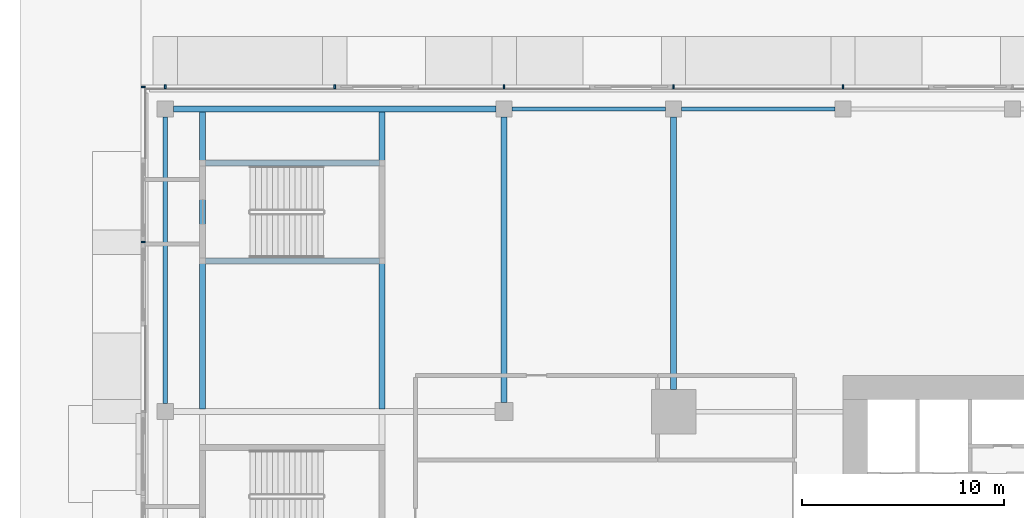
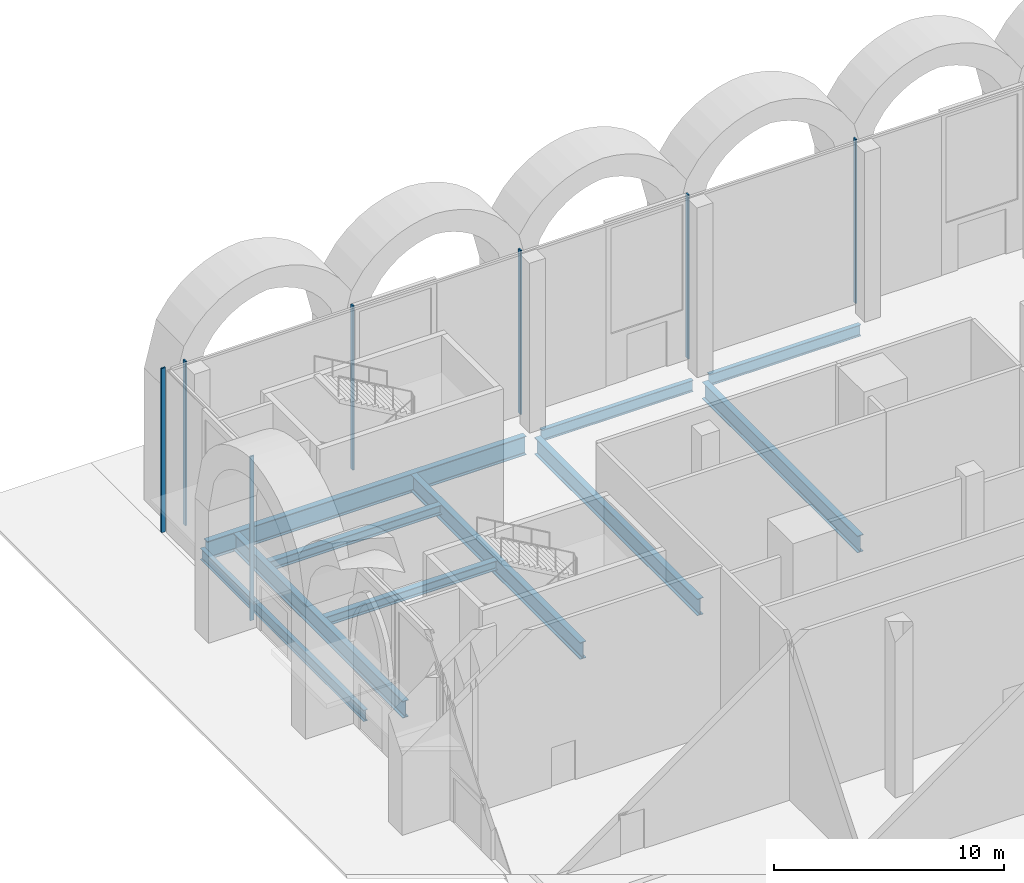
# One storey, part 12 of 43: 10 beams, 7 members, 2 elements without a shape of their own.
"""IFC4 building model written with IfcOpenShell, lengths in metres."""

import ifcopenshell
import ifcopenshell.guid

model = None  # the IFC model being written
_history = None  # IfcOwnerHistory: only IFC2X3 demands one
_inside = {}  # id of a spatial element -> (the spatial element, [elements in it])
_under = {}  # id of a project, library or spatial element -> (it, [spatial elements below it])
_declared = {}  # id of a project -> (the project, [libraries it declares])
_typed = {}  # id of a type object -> (the type object, [elements of that type])
_made_of = {}  # id of a material, layer set ... -> (it, [elements and type objects made of it])


def new_model(schema):
    """Start an empty IFC model of exactly this schema.

    Asked for "IFC4X3", IfcOpenShell would pick the latest addendum, in which some entities
    have other attributes; the version numbers below select the first issue.
    IFC2X3 requires an IfcOwnerHistory on every rooted entity: one is made here for all.
    """
    global model, _history
    if schema == "IFC4X3":
        model = ifcopenshell.file(schema_version=(4, 3, 0, 0))
    else:
        model = ifcopenshell.file(schema=schema)
    _inside.clear()
    _under.clear()
    _declared.clear()
    _typed.clear()
    _made_of.clear()
    _history = None
    if model.schema == "IFC2X3":
        org = make("IfcOrganization", Name="unknown")
        user = make(
            "IfcPersonAndOrganization",
            ThePerson=make("IfcPerson", FamilyName="unknown"),
            TheOrganization=org,
        )
        app = make(
            "IfcApplication",
            ApplicationDeveloper=org,
            Version="unknown",
            ApplicationFullName="unknown",
            ApplicationIdentifier="unknown",
        )
        _history = make(
            "IfcOwnerHistory",
            OwningUser=user,
            OwningApplication=app,
            ChangeAction="ADDED",
            CreationDate=0,
        )
    return model


def make(cls, **values):
    """One entity of the class cls with the attributes given. An attribute that is None is left unset."""
    return model.create_entity(
        cls, **{name: value for name, value in values.items() if value is not None}
    )


def rooted(cls, **values):
    """An entity with a GlobalId (a new one), such as an element, a storey or a relation."""
    return make(cls, GlobalId=ifcopenshell.guid.new(), OwnerHistory=_history, **values)


def si_unit(unit_type, name, prefix=None):
    """IfcSIUnit, for example si_unit("LENGTHUNIT", "METRE", prefix="MILLI")."""
    return make("IfcSIUnit", UnitType=unit_type, Prefix=prefix, Name=name)


def assignment(units):
    """IfcUnitAssignment: the units of a project."""
    return None if units is None else make("IfcUnitAssignment", Units=units)


def point(xyz):
    """IfcCartesianPoint."""
    return None if xyz is None else make("IfcCartesianPoint", Coordinates=xyz)


def direction(xyz):
    """IfcDirection."""
    return None if xyz is None else make("IfcDirection", DirectionRatios=xyz)


def frame(location, z_axis=None, x_axis=None):
    """IfcAxis2Placement3D, a coordinate frame: its origin and axes. An axis left out is left unset."""
    return make(
        "IfcAxis2Placement3D",
        Location=point(location),
        Axis=direction(z_axis),
        RefDirection=direction(x_axis),
    )


def frame_2d(location, x_axis=None):
    """IfcAxis2Placement2D, a coordinate frame in the plane: its origin and x axis."""
    return make(
        "IfcAxis2Placement2D", Location=point(location), RefDirection=direction(x_axis)
    )


def origin():
    """The frame at (0, 0, 0) with its axes left unset."""
    return frame((0.0, 0.0, 0.0))


def origin_2d():
    """The frame at (0, 0) in the plane with its x axis left unset."""
    return frame_2d((0.0, 0.0))


def place(relative_to, where):
    """IfcLocalPlacement: puts the frame where relative to a parent placement (None: the world)."""
    return make(
        "IfcLocalPlacement", PlacementRelTo=relative_to, RelativePlacement=where
    )


def context(
    kind, dimensions, precision=None, world=None, true_north=None, identifier=None
):
    """IfcGeometricRepresentationContext, for example the 3D "Model" context."""
    return make(
        "IfcGeometricRepresentationContext",
        ContextIdentifier=identifier,
        ContextType=kind,
        CoordinateSpaceDimension=dimensions,
        Precision=precision,
        WorldCoordinateSystem=world,
        TrueNorth=true_north,
    )


def subcontext(parent, identifier, kind, view, scale=None):
    """IfcGeometricRepresentationSubContext, for example "Body" below "Model"."""
    return make(
        "IfcGeometricRepresentationSubContext",
        ContextIdentifier=identifier,
        ContextType=kind,
        ParentContext=parent,
        TargetScale=scale,
        TargetView=view,
    )


def project(units=None, contexts=None):
    """IfcProject with its units and contexts."""
    return rooted(
        "IfcProject",
        Name="project",
        RepresentationContexts=contexts,
        UnitsInContext=assignment(units),
    )


def spatial(cls, under=None, at=None, **own):
    """A site, building, storey or space (cls), placed at a placement, below another one or the project."""
    s = rooted(cls, ObjectPlacement=at, **own)
    if under is not None:
        _under.setdefault(under.id(), (under, []))[1].append(s)
    return s


def profile(cls, at=None, kind="AREA", **sizes):
    """A parametric profile (cls). Its sizes go by their IFC names, for example OverallWidth=200.0."""
    return make(cls, ProfileType=kind, Position=at, **sizes)


def rectangle(**sizes):
    """IfcRectangleProfileDef."""
    return profile("IfcRectangleProfileDef", **sizes)


def i_section(**sizes):
    """IfcIShapeProfileDef."""
    return profile("IfcIShapeProfileDef", **sizes)


def extrude(swept, where, along, depth):
    """IfcExtrudedAreaSolid: the profile swept, set in the frame where, extruded along a direction by depth."""
    return make(
        "IfcExtrudedAreaSolid",
        SweptArea=swept,
        Position=where,
        ExtrudedDirection=direction(along),
        Depth=depth,
    )


def shape(context_of_items, identifier, shape_type, items):
    """IfcShapeRepresentation: the items that make up one representation, for example the "Body"."""
    return make(
        "IfcShapeRepresentation",
        ContextOfItems=context_of_items,
        RepresentationIdentifier=identifier,
        RepresentationType=shape_type,
        Items=items,
    )


def material(Name=None, Category=None):
    """IfcMaterial."""
    return make("IfcMaterial", Name=Name, Category=Category)


def material_profile(
    of_material, cross_section, Name=None, Category=None, Priority=None
):
    """IfcMaterialProfile: a cross section and its material."""
    return make(
        "IfcMaterialProfile",
        Name=Name,
        Material=of_material,
        Profile=cross_section,
        Priority=Priority,
        Category=Category,
    )


def profile_set(profiles, Name=None, composite=None):
    """IfcMaterialProfileSet."""
    return make(
        "IfcMaterialProfileSet",
        Name=Name,
        MaterialProfiles=profiles,
        CompositeProfile=composite,
    )


def made_of(thing, what):
    """Note that an element or type object is made of a material, layer set ...; save() writes the relation."""
    if what is not None:
        _made_of.setdefault(what.id(), (what, []))[1].append(thing)
    return thing


def type_object(cls, material=None, **own):
    """A type object (cls), such as IfcWallType, which elements share."""
    return made_of(rooted(cls, **own), material)


def element(
    cls,
    number,
    at=None,
    inside=None,
    cuts=None,
    type_object=None,
    material=None,
    context=None,
    identifier="Body",
    shape_type=None,
    held_by="IfcProductDefinitionShape",
    body=None,
    shapes=None,
    **own,
):
    """One element of the class cls, such as IfcWall. Its Tag is "e" and its number.

    at: its placement. inside: the storey or other place that contains it. cuts: it is an
    opening in that element (IfcRelVoidsElement). A single representation is given by context,
    identifier, shape_type and body (its items); several are given by shapes. held_by: the class
    of the entity that holds the representations. save() writes the other relations.
    """
    e = rooted(cls, Tag="e%d" % number, ObjectPlacement=at, **own)
    if body is not None:
        shapes = [shape(context, identifier, shape_type, body)]
    if shapes is not None:
        e.Representation = make(held_by, Representations=shapes)
    if inside is not None:
        _inside.setdefault(inside.id(), (inside, []))[1].append(e)
    if cuts is not None:
        rooted(
            "IfcRelVoidsElement", RelatingBuildingElement=cuts, RelatedOpeningElement=e
        )
    if type_object is not None:
        _typed.setdefault(type_object.id(), (type_object, []))[1].append(e)
    return made_of(e, material)


def aggregate(whole, parts):
    """IfcRelAggregates: a whole, such as a stair, and the parts it consists of."""
    return rooted("IfcRelAggregates", RelatingObject=whole, RelatedObjects=parts)


def save(model, path):
    """Write the relations noted so far, then the file.

    IfcRelAggregates (storeys below a building ...), IfcRelContainedInSpatialStructure (elements
    in a storey), IfcRelDefinesByType, IfcRelAssociatesMaterial and IfcRelDeclares: one each for
    every whole, place, type object, material and project.
    """
    for whole, parts in _under.values():
        aggregate(whole, parts)
    for where, things in _inside.values():
        rooted(
            "IfcRelContainedInSpatialStructure",
            RelatedElements=things,
            RelatingStructure=where,
        )
    for kind, things in _typed.values():
        rooted("IfcRelDefinesByType", RelatedObjects=things, RelatingType=kind)
    for what, things in _made_of.values():
        rooted("IfcRelAssociatesMaterial", RelatedObjects=things, RelatingMaterial=what)
    for by, libraries in _declared.values():
        rooted("IfcRelDeclares", RelatingContext=by, RelatedDefinitions=libraries)
    model.write(path)


model = new_model("IFC4")

# Units and contexts
model_context = context("Model", 3, precision=1e-05, world=origin(), true_north=direction((0.0, 1.0)))
body_context = subcontext(model_context, "Body", "Model", "MODEL_VIEW")
ifc_project = project(units=[si_unit("LENGTHUNIT", "METRE"), si_unit("AREAUNIT", "SQUARE_METRE"), si_unit("VOLUMEUNIT", "CUBIC_METRE"), si_unit("PLANEANGLEUNIT", "RADIAN"), si_unit("MASSUNIT", "GRAM", prefix="KILO")], contexts=[model_context])

# Site, building, storey
site_placement = place(None, origin())
site = spatial("IfcSite", under=ifc_project, at=site_placement, CompositionType="ELEMENT")
building_placement = place(site_placement, origin())
building = spatial("IfcBuilding", under=site, at=building_placement, Name="Saffron Gate Tower", CompositionType="ELEMENT")
storey_placement = place(building_placement, origin())
storey = spatial("IfcBuildingStorey", under=building, at=storey_placement, Name="L00", CompositionType="ELEMENT", Elevation=0.0)

# Beams
ifc_material_1 = material(Name="Structural steel S355", Category="steel")
ifc_material_profile_1 = material_profile(ifc_material_1, i_section(OverallWidth=0.219970703125, OverallDepth=0.60009765625, WebThickness=0.011962890625, FlangeThickness=0.01904296875, FilletRadius=0.02392578125, at=origin_2d()))
ifc_profile_set_1 = profile_set([ifc_material_profile_1], Name="Structural steel S355")
beam_type_1 = type_object("IfcBeamType", Name="B15 IPE 600", PredefinedType="BEAM", material=ifc_profile_set_1)
beam_1_placement = place(storey_placement, frame((50.199951171875, 88.800048828125, -0.60009765625), z_axis=(1.0, 0.0, 0.0), x_axis=(0.0, 1.0, 0.0)))
element("IfcBeam", 1, at=beam_1_placement, inside=storey, type_object=beam_type_1, Name="B15 PODIUM EDGE BEAM", PredefinedType="BEAM", context=body_context, shape_type="SweptSolid", body=[
    extrude(i_section(OverallWidth=0.219970703125, OverallDepth=0.60009765625, WebThickness=0.011962890625, FlangeThickness=0.01904296875, FilletRadius=0.02392578125, at=origin_2d()), origin(), (0.0, 0.0, 1.0), 7.60009765625),
])
beam_2_placement = place(storey_placement, frame((58.60009765625, 88.800048828125, -0.60009765625), z_axis=(1.0, 0.0, 0.0), x_axis=(0.0, 1.0, 0.0)))
element("IfcBeam", 2, at=beam_2_placement, inside=storey, type_object=beam_type_1, Name="B15 PODIUM EDGE BEAM", PredefinedType="BEAM", context=body_context, shape_type="SweptSolid", body=[
    extrude(i_section(OverallWidth=0.219970703125, OverallDepth=0.60009765625, WebThickness=0.011962890625, FlangeThickness=0.01904296875, FilletRadius=0.02392578125, at=origin_2d()), origin(), (0.0, 0.0, 1.0), 7.599853515625),
])
beam_3_placement = place(storey_placement, frame((33.0, 74.199951171875, -0.60009765625), z_axis=(0.0, 1.0, 0.0), x_axis=(-1.0, 0.0, 0.0)))
element("IfcBeam", 3, at=beam_3_placement, inside=storey, type_object=beam_type_1, Name="B15 PODIUM EDGE BEAM", PredefinedType="BEAM", context=body_context, shape_type="SweptSolid", body=[
    extrude(i_section(OverallWidth=0.219970703125, OverallDepth=0.60009765625, WebThickness=0.011962890625, FlangeThickness=0.01904296875, FilletRadius=0.02392578125, at=origin_2d()), origin(), (0.0, 0.0, 1.0), 14.199951171875),
])
ifc_material_profile_2 = material_profile(ifc_material_1, i_section(OverallWidth=0.300048828125, OverallDepth=0.889892578125, WebThickness=0.01611328125, FlangeThickness=0.030029296875, FilletRadius=0.030029296875, at=origin_2d()))
ifc_profile_set_2 = profile_set([ifc_material_profile_2], Name="Structural steel S355")
beam_type_2 = type_object("IfcBeamType", Name="B19 HEA 900", PredefinedType="BEAM", material=ifc_profile_set_2)
beam_4_placement = place(storey_placement, frame((49.800048828125, 88.39990234375, -0.7451171875), z_axis=(0.0, -1.0, 0.0), x_axis=(1.0, 0.0, 0.0)))
element("IfcBeam", 4, at=beam_4_placement, inside=storey, type_object=beam_type_2, Name="B19 PODIUM RING GIRDER", PredefinedType="BEAM", context=body_context, shape_type="SweptSolid", body=[
    extrude(i_section(OverallWidth=0.300048828125, OverallDepth=0.889892578125, WebThickness=0.01611328125, FlangeThickness=0.030029296875, FilletRadius=0.030029296875, at=origin_2d()), origin(), (0.0, 0.0, 1.0), 14.14990234375),
])
beam_5_placement = place(storey_placement, frame((58.199951171875, 88.39990234375, -0.7451171875), z_axis=(0.0, -1.0, 0.0), x_axis=(1.0, 0.0, 0.0)))
element("IfcBeam", 5, at=beam_5_placement, inside=storey, type_object=beam_type_2, Name="B19 PODIUM RING GIRDER", PredefinedType="BEAM", context=body_context, shape_type="SweptSolid", body=[
    extrude(i_section(OverallWidth=0.300048828125, OverallDepth=0.889892578125, WebThickness=0.01611328125, FlangeThickness=0.030029296875, FilletRadius=0.030029296875, at=origin_2d()), origin(), (0.0, 0.0, 1.0), 13.5),
])
ifc_material_profile_3 = material_profile(ifc_material_1, i_section(OverallWidth=0.300048828125, OverallDepth=0.89990234375, WebThickness=0.0185546875, FlangeThickness=0.034912109375, FilletRadius=0.030029296875, at=origin_2d()))
ifc_profile_set_3 = profile_set([ifc_material_profile_3], Name="Structural steel S355")
beam_type_3 = type_object("IfcBeamType", Name="B20 HEB 900", PredefinedType="BEAM", material=ifc_profile_set_3)
for number, where, z_axis, x_axis, name in (
    (6, (34.85009765625, 73.93994140625, -0.75), (0.0, 1.0, 0.0), (-1.0, 0.0, 0.0), "B20 STAIR ENCLOSURE HEADER BEAM"),
    (7, (43.75, 73.93994140625, -0.75), (0.0, 1.0, 0.0), (-1.0, 0.0, 0.0), "B20 STAIR ENCLOSURE HEADER BEAM"),
):
    element("IfcBeam", number, at=place(storey_placement, frame(where, z_axis=z_axis, x_axis=x_axis)), inside=storey, type_object=beam_type_3, Name=name, PredefinedType="BEAM", context=body_context, shape_type="SweptSolid", body=[
        extrude(i_section(OverallWidth=0.300048828125, OverallDepth=0.89990234375, WebThickness=0.0185546875, FlangeThickness=0.034912109375, FilletRadius=0.030029296875, at=origin_2d()), origin(), (0.0, 0.0, 1.0), 14.719970703125),
    ])
ifc_material_profile_4 = material_profile(ifc_material_1, i_section(OverallWidth=0.300048828125, OverallDepth=0.989990234375, WebThickness=0.0166015625, FlangeThickness=0.031005859375, FilletRadius=0.030029296875, at=origin_2d()))
ifc_profile_set_4 = profile_set([ifc_material_profile_4], Name="Structural steel S355")
beam_type_4 = type_object("IfcBeamType", Name="B21 HEA 1000", PredefinedType="BEAM", material=ifc_profile_set_4)
beam_6_placement = place(storey_placement, frame((33.39990234375, 88.800048828125, -0.794921875), z_axis=(1.0, 0.0, 0.0), x_axis=(0.0, 1.0, 0.0)))
element("IfcBeam", 8, at=beam_6_placement, inside=storey, type_object=beam_type_4, Name="B21 PODIUM EDGE BEAM", PredefinedType="BEAM", context=body_context, shape_type="SweptSolid", body=[
    extrude(i_section(OverallWidth=0.300048828125, OverallDepth=0.989990234375, WebThickness=0.0166015625, FlangeThickness=0.031005859375, FilletRadius=0.030029296875, at=origin_2d()), origin(), (0.0, 0.0, 1.0), 16.0),
])
ifc_material_profile_5 = material_profile(ifc_material_1, i_section(OverallWidth=0.300048828125, OverallDepth=0.5, WebThickness=0.014404296875, FlangeThickness=0.028076171875, FilletRadius=0.027099609375, at=origin_2d()))
ifc_profile_set_5 = profile_set([ifc_material_profile_5], Name="Structural steel S355")
beam_type_5 = type_object("IfcBeamType", Name="B9 HEB 500", PredefinedType="BEAM", material=ifc_profile_set_5)
for number, where, z_axis, x_axis, name in (
    (9, (34.989990234375, 81.27490234375, -0.550048828125), (1.0, 0.0, 0.0), (0.0, 1.0, 0.0), "B9 STAIR ENCLOSURE TRIMMER BEAM"),
    (10, (34.989990234375, 86.125, -0.550048828125), (1.0, 0.0, 0.0), (0.0, 1.0, 0.0), "B9 STAIR ENCLOSURE TRIMMER BEAM"),
):
    element("IfcBeam", number, at=place(storey_placement, frame(where, z_axis=z_axis, x_axis=x_axis)), inside=storey, type_object=beam_type_5, Name=name, PredefinedType="BEAM", context=body_context, shape_type="SweptSolid", body=[
        extrude(i_section(OverallWidth=0.300048828125, OverallDepth=0.5, WebThickness=0.014404296875, FlangeThickness=0.028076171875, FilletRadius=0.027099609375, at=origin_2d()), origin(), (0.0, 0.0, 1.0), 8.6201171875),
    ])

# Curtain wall, members
ifc_material_2 = material(Name="Aluminium, bronze anodised", Category="aluminium")
curtain_wall_type = type_object("IfcCurtainWallType", Name="CWS5 curtain wall podium ring base", PredefinedType="NOTDEFINED", material=ifc_material_2)
curtain_wall_1_placement = place(storey_placement, origin())
curtain_wall_1 = element("IfcCurtainWall", 11, at=curtain_wall_1_placement, inside=storey, type_object=curtain_wall_type, Name="CWS5 run 3", PredefinedType="NOTDEFINED")
ifc_material_profile_6 = material_profile(ifc_material_2, rectangle(XDim=0.199951171875, YDim=0.080078125, at=origin_2d()))
ifc_profile_set_6 = profile_set([ifc_material_profile_6], Name="Aluminium, bronze anodised")
member_type = type_object("IfcMemberType", Name="CWS5 mullion 80x200", PredefinedType="MULLION", material=ifc_profile_set_6)
member_1_placement = place(storey_placement, frame((66.60009765625, 89.89990234375, 0.0), z_axis=(0.0, 0.0, 1.0), x_axis=(0.0, -1.0, 0.0)))
member_1 = element("IfcMember", 12, at=member_1_placement, type_object=member_type, Name="CWS5 mullion 11", PredefinedType="MULLION", context=body_context, shape_type="SweptSolid", body=[
    extrude(rectangle(XDim=0.199951171875, YDim=0.080078125, at=origin_2d()), origin(), (0.0, 0.0, 1.0), 8.699951171875),
])
member_2_placement = place(storey_placement, frame((58.199951171875, 89.89990234375, 0.0), z_axis=(0.0, 0.0, 1.0), x_axis=(0.0, -1.0, 0.0)))
member_2 = element("IfcMember", 13, at=member_2_placement, type_object=member_type, Name="CWS5 mullion 12", PredefinedType="MULLION", context=body_context, shape_type="SweptSolid", body=[
    extrude(rectangle(XDim=0.199951171875, YDim=0.080078125, at=origin_2d()), origin(), (0.0, 0.0, 1.0), 8.699951171875),
])
member_3_placement = place(storey_placement, frame((49.800048828125, 89.89990234375, 0.0), z_axis=(0.0, 0.0, 1.0), x_axis=(0.0, -1.0, 0.0)))
member_3 = element("IfcMember", 14, at=member_3_placement, type_object=member_type, Name="CWS5 mullion 13", PredefinedType="MULLION", context=body_context, shape_type="SweptSolid", body=[
    extrude(rectangle(XDim=0.199951171875, YDim=0.080078125, at=origin_2d()), origin(), (0.0, 0.0, 1.0), 8.699951171875),
])
member_4_placement = place(storey_placement, frame((41.39990234375, 89.89990234375, 0.0), z_axis=(0.0, 0.0, 1.0), x_axis=(0.0, -1.0, 0.0)))
member_4 = element("IfcMember", 15, at=member_4_placement, type_object=member_type, Name="CWS5 mullion 14", PredefinedType="MULLION", context=body_context, shape_type="SweptSolid", body=[
    extrude(rectangle(XDim=0.199951171875, YDim=0.080078125, at=origin_2d()), origin(), (0.0, 0.0, 1.0), 8.699951171875),
])
member_5_placement = place(storey_placement, frame((33.0, 89.89990234375, 0.0), z_axis=(0.0, 0.0, 1.0), x_axis=(0.0, -1.0, 0.0)))
member_5 = element("IfcMember", 16, at=member_5_placement, type_object=member_type, Name="CWS5 mullion 15", PredefinedType="MULLION", context=body_context, shape_type="SweptSolid", body=[
    extrude(rectangle(XDim=0.199951171875, YDim=0.080078125, at=origin_2d()), origin(), (0.0, 0.0, 1.0), 8.699951171875),
])
aggregate(curtain_wall_1, [member_1, member_2, member_3, member_4, member_5])

curtain_wall_2_placement = place(storey_placement, origin())
curtain_wall_2 = element("IfcCurtainWall", 17, at=curtain_wall_2_placement, inside=storey, type_object=curtain_wall_type, Name="CWS5 run 4", PredefinedType="NOTDEFINED")
member_6_placement = place(storey_placement, frame((31.89990234375, 89.89990234375, 0.0), z_axis=(0.0, 0.0, 1.0), x_axis=(1.0, 0.0, 0.0)))
member_6 = element("IfcMember", 18, at=member_6_placement, type_object=member_type, Name="CWS5 mullion 1", PredefinedType="MULLION", context=body_context, shape_type="SweptSolid", body=[
    extrude(rectangle(XDim=0.199951171875, YDim=0.080078125, at=origin_2d()), origin(), (0.0, 0.0, 1.0), 8.699951171875),
])
member_7_placement = place(storey_placement, frame((31.89990234375, 82.199951171875, 0.0), z_axis=(0.0, 0.0, 1.0), x_axis=(1.0, 0.0, 0.0)))
member_7 = element("IfcMember", 19, at=member_7_placement, type_object=member_type, Name="CWS5 mullion 2", PredefinedType="MULLION", context=body_context, shape_type="SweptSolid", body=[
    extrude(rectangle(XDim=0.199951171875, YDim=0.080078125, at=origin_2d()), origin(), (0.0, 0.0, 1.0), 8.699951171875),
])
aggregate(curtain_wall_2, [member_6, member_7])

save(model, "model.ifc")
